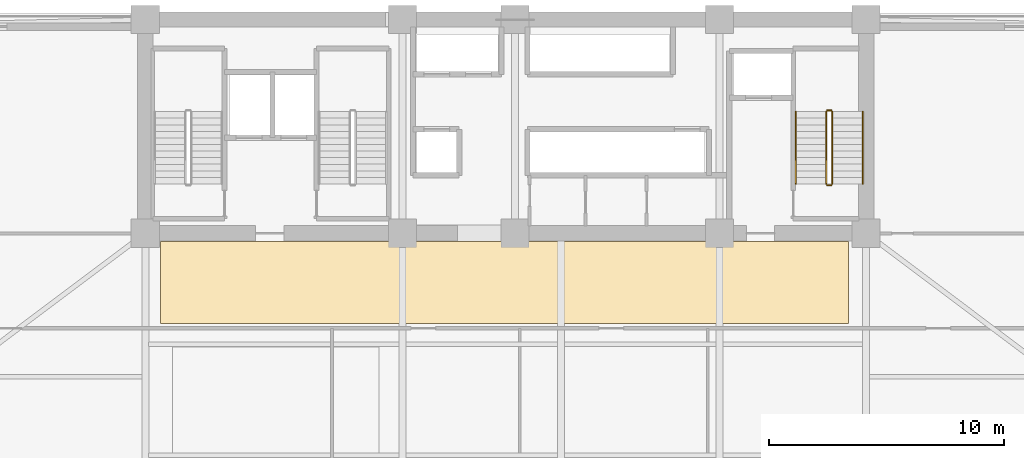
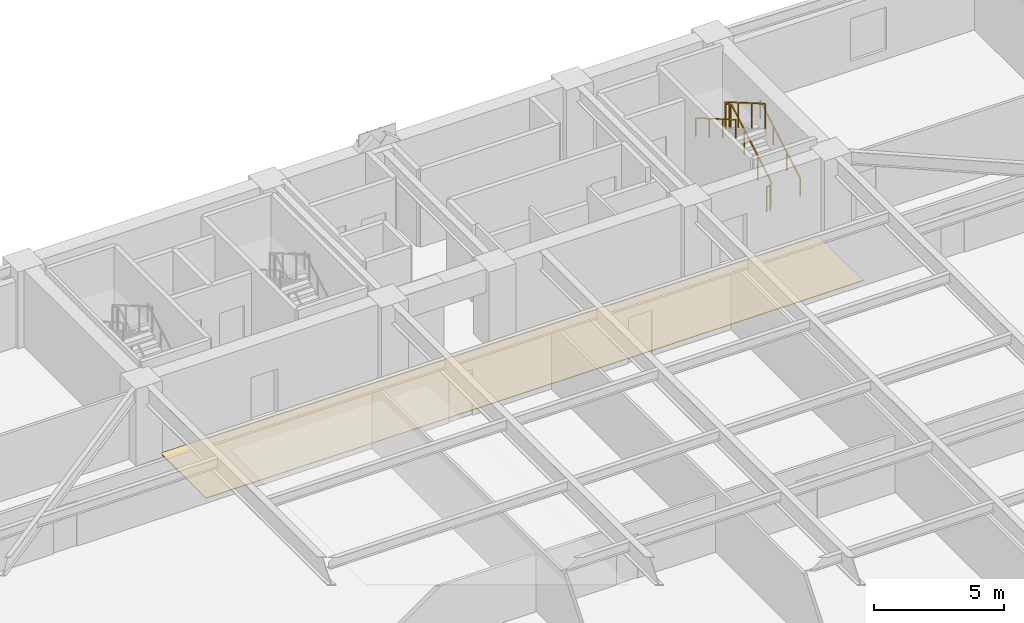
# One storey, part 16 of 17: 6 railings, 1 covering.
"""IFC4 building model written with IfcOpenShell, lengths in metres."""

from ifc_helpers import new_model, si_unit, direction, frame, origin, origin_2d, place, context, subcontext, project, spatial, polyline, rectangle, outline, extrude, material, layer, layer_set, type_object, element, save


model = new_model("IFC4")

# Units and contexts
model_context = context("Model", 3, precision=1e-05, world=origin(), true_north=direction((0.0, 1.0)))
body_context = subcontext(model_context, "Body", "Model", "MODEL_VIEW")
ifc_project = project(units=[si_unit("LENGTHUNIT", "METRE"), si_unit("AREAUNIT", "SQUARE_METRE"), si_unit("VOLUMEUNIT", "CUBIC_METRE"), si_unit("PLANEANGLEUNIT", "RADIAN"), si_unit("MASSUNIT", "GRAM", prefix="KILO")], contexts=[model_context])

# Site, building, storey
site_placement = place(None, origin())
site = spatial("IfcSite", under=ifc_project, at=site_placement, CompositionType="ELEMENT")
building_placement = place(site_placement, origin())
building = spatial("IfcBuilding", under=site, at=building_placement, Name="Giltprow Tower", CompositionType="ELEMENT")
storey_placement = place(building_placement, frame((0.0, 0.0, 44.89990234375)))
storey = spatial("IfcBuildingStorey", under=building, at=storey_placement, Name="L11", CompositionType="ELEMENT", Elevation=44.89990234375)

# Covering
ifc_material_1 = material(Name="Honed granite", Category="masonry")
ifc_layer = layer(ifc_material_1, 0.030029296875, Name="Honed granite")
ifc_layer_set = layer_set([ifc_layer], Name="Honed granite")
covering_type = type_object("IfcCoveringType", Name="COV-FLR-STONE", PredefinedType="FLOORING", material=ifc_layer_set)
covering_placement = place(storey_placement, origin())
element("IfcCovering", 1, at=covering_placement, inside=storey, type_object=covering_type, Name="L11 Office Corridor Stone Flooring", PredefinedType="FLOORING", context=body_context, shape_type="SweptSolid", body=[
    extrude(outline(polyline([(20.5, 33.60009765625), (49.800048828125, 33.60009765625), (49.800048828125, 37.10009765625), (20.5, 37.10009765625), (20.5, 33.60009765625)])), origin(), (0.0, 0.0, 1.0), 0.030029296875),
])

# Railings
ifc_material_2 = material(Name="Anodized bronze", Category="metal")
railing_type_1 = type_object("IfcRailingType", Name="RAIL-STAIR-GUARD-1200", PredefinedType="GUARDRAIL", material=ifc_material_2)
railing_1_placement = place(storey_placement, frame((49.110107421875, 39.550048828125, 0.16259765625)))
element("IfcRailing", 2, at=railing_1_placement, inside=storey, type_object=railing_type_1, Name="L11 ST-3 stair guard 1", PredefinedType="GUARDRAIL", context=body_context, shape_type="SweptSolid", body=[
    extrude(rectangle(XDim=0.048095703125, YDim=0.048095703125, at=origin_2d()), frame((0.0, 0.0, 1.17578125), z_axis=(0.0, 0.864873446163, 0.501989962173), x_axis=(-1.0, 0.0, 0.0)), (0.0, 0.0, 1.0), 3.56103515625),
    extrude(rectangle(XDim=0.0419921875, YDim=0.0419921875, at=origin_2d()), origin(), (0.0, 0.0, 1.0), 1.15185546875),
    extrude(rectangle(XDim=0.0419921875, YDim=0.0419921875, at=origin_2d()), frame((0.0, 1.026611328125, 0.595947265625)), (0.0, 0.0, 1.0), 1.15185546875),
    extrude(rectangle(XDim=0.0419921875, YDim=0.0419921875, at=origin_2d()), frame((0.0, 2.05322265625, 1.191650390625)), (0.0, 0.0, 1.0), 1.15185546875),
    extrude(rectangle(XDim=0.0419921875, YDim=0.0419921875, at=origin_2d()), frame((0.0, 3.079833984375, 1.78759765625)), (0.0, 0.0, 1.0), 1.15185546875),
])
railing_2_placement = place(storey_placement, frame((49.06005859375, 42.679931640625, 1.9501953125)))
element("IfcRailing", 3, at=railing_2_placement, inside=storey, type_object=railing_type_1, Name="L11 ST-3 stair guard 2", PredefinedType="GUARDRAIL", context=body_context, shape_type="SweptSolid", body=[
    extrude(rectangle(XDim=0.048095703125, YDim=0.048095703125, at=origin_2d()), frame((0.0, 0.0, 1.17578125), z_axis=(-1.0, 0.0, 0.0), x_axis=(0.0, -1.0, 0.0)), (0.0, 0.0, 1.0), 0.16015625),
    extrude(rectangle(XDim=0.0419921875, YDim=0.0419921875, at=origin_2d()), origin(), (0.0, 0.0, 1.0), 1.15185546875),
    extrude(rectangle(XDim=0.0419921875, YDim=0.0419921875, at=origin_2d()), frame((-0.16015625, 0.0, 0.0)), (0.0, 0.0, 1.0), 1.15185546875),
])
railing_3_placement = place(storey_placement, frame((48.85009765625, 42.6298828125, 2.112548828125)))
element("IfcRailing", 4, at=railing_3_placement, inside=storey, type_object=railing_type_1, Name="L11 ST-3 stair guard 3", PredefinedType="GUARDRAIL", context=body_context, shape_type="SweptSolid", body=[
    extrude(rectangle(XDim=0.048095703125, YDim=0.048095703125, at=origin_2d()), frame((0.0, 0.0, 1.17578125), z_axis=(0.0, -0.864873446163, 0.501989962173), x_axis=(1.0, 0.0, 0.0)), (0.0, 0.0, 1.0), 3.56103515625),
    extrude(rectangle(XDim=0.0419921875, YDim=0.0419921875, at=origin_2d()), origin(), (0.0, 0.0, 1.0), 1.15185546875),
    extrude(rectangle(XDim=0.0419921875, YDim=0.0419921875, at=origin_2d()), frame((0.0, -1.026611328125, 0.595947265625)), (0.0, 0.0, 1.0), 1.15185546875),
    extrude(rectangle(XDim=0.0419921875, YDim=0.0419921875, at=origin_2d()), frame((0.0, -2.05322265625, 1.191650390625)), (0.0, 0.0, 1.0), 1.15185546875),
    extrude(rectangle(XDim=0.0419921875, YDim=0.0419921875, at=origin_2d()), frame((0.0, -3.079833984375, 1.78759765625)), (0.0, 0.0, 1.0), 1.15185546875),
])
railing_4_placement = place(storey_placement, frame((49.06005859375, 39.5, 0.0)))
element("IfcRailing", 5, at=railing_4_placement, inside=storey, type_object=railing_type_1, Name="L11 ST-3 stair guard 4", PredefinedType="GUARDRAIL", context=body_context, shape_type="SweptSolid", body=[
    extrude(rectangle(XDim=0.048095703125, YDim=0.048095703125, at=origin_2d()), frame((0.0, 0.0, 1.17578125), z_axis=(-1.0, 0.0, 0.0), x_axis=(0.0, -1.0, 0.0)), (0.0, 0.0, 1.0), 0.16015625),
    extrude(rectangle(XDim=0.0419921875, YDim=0.0419921875, at=origin_2d()), origin(), (0.0, 0.0, 1.0), 1.15185546875),
    extrude(rectangle(XDim=0.0419921875, YDim=0.0419921875, at=origin_2d()), frame((-0.16015625, 0.0, 0.0)), (0.0, 0.0, 1.0), 1.15185546875),
])
railing_type_2 = type_object("IfcRailingType", Name="RAIL-STAIR-HAND-900", PredefinedType="HANDRAIL", material=ifc_material_2)
railing_5_placement = place(storey_placement, frame((50.409912109375, 39.550048828125, 0.16259765625)))
element("IfcRailing", 6, at=railing_5_placement, inside=storey, type_object=railing_type_2, Name="L11 ST-3 stair handrail 1", PredefinedType="HANDRAIL", context=body_context, shape_type="SweptSolid", body=[
    extrude(rectangle(XDim=0.048095703125, YDim=0.048095703125, at=origin_2d()), frame((0.0, 0.0, 0.8759765625), z_axis=(0.0, 0.864873446163, 0.501989962173), x_axis=(-1.0, 0.0, 0.0)), (0.0, 0.0, 1.0), 3.56103515625),
    extrude(rectangle(XDim=0.0419921875, YDim=0.0419921875, at=origin_2d()), origin(), (0.0, 0.0, 1.0), 0.851806640625),
    extrude(rectangle(XDim=0.0419921875, YDim=0.0419921875, at=origin_2d()), frame((0.0, 1.026611328125, 0.595947265625)), (0.0, 0.0, 1.0), 0.851806640625),
    extrude(rectangle(XDim=0.0419921875, YDim=0.0419921875, at=origin_2d()), frame((0.0, 2.05322265625, 1.191650390625)), (0.0, 0.0, 1.0), 0.851806640625),
    extrude(rectangle(XDim=0.0419921875, YDim=0.0419921875, at=origin_2d()), frame((0.0, 3.079833984375, 1.78759765625)), (0.0, 0.0, 1.0), 0.851806640625),
])
railing_6_placement = place(storey_placement, frame((47.550048828125, 42.6298828125, 2.112548828125)))
element("IfcRailing", 7, at=railing_6_placement, inside=storey, type_object=railing_type_2, Name="L11 ST-3 stair handrail 2", PredefinedType="HANDRAIL", context=body_context, shape_type="SweptSolid", body=[
    extrude(rectangle(XDim=0.048095703125, YDim=0.048095703125, at=origin_2d()), frame((0.0, 0.0, 0.8759765625), z_axis=(0.0, -0.864873446163, 0.501989962173), x_axis=(1.0, 0.0, 0.0)), (0.0, 0.0, 1.0), 3.56103515625),
    extrude(rectangle(XDim=0.0419921875, YDim=0.0419921875, at=origin_2d()), origin(), (0.0, 0.0, 1.0), 0.851806640625),
    extrude(rectangle(XDim=0.0419921875, YDim=0.0419921875, at=origin_2d()), frame((0.0, -1.026611328125, 0.595947265625)), (0.0, 0.0, 1.0), 0.851806640625),
    extrude(rectangle(XDim=0.0419921875, YDim=0.0419921875, at=origin_2d()), frame((0.0, -2.05322265625, 1.191650390625)), (0.0, 0.0, 1.0), 0.851806640625),
    extrude(rectangle(XDim=0.0419921875, YDim=0.0419921875, at=origin_2d()), frame((0.0, -3.079833984375, 1.78759765625)), (0.0, 0.0, 1.0), 0.851806640625),
])

save(model, "model.ifc")
